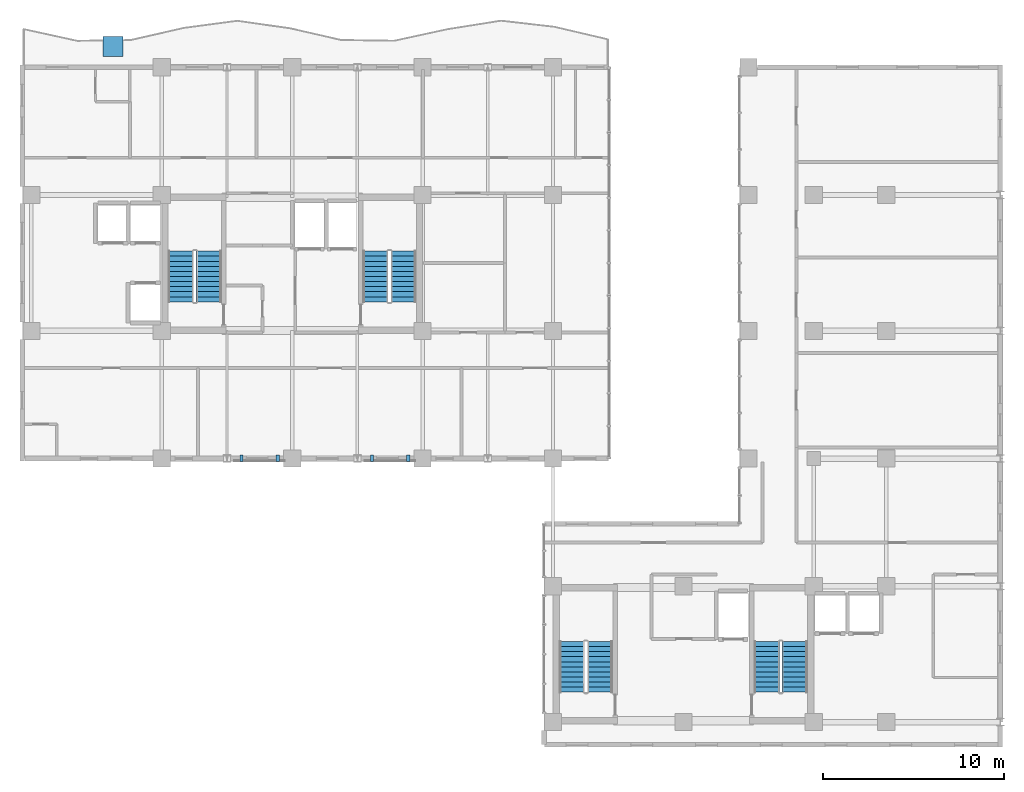
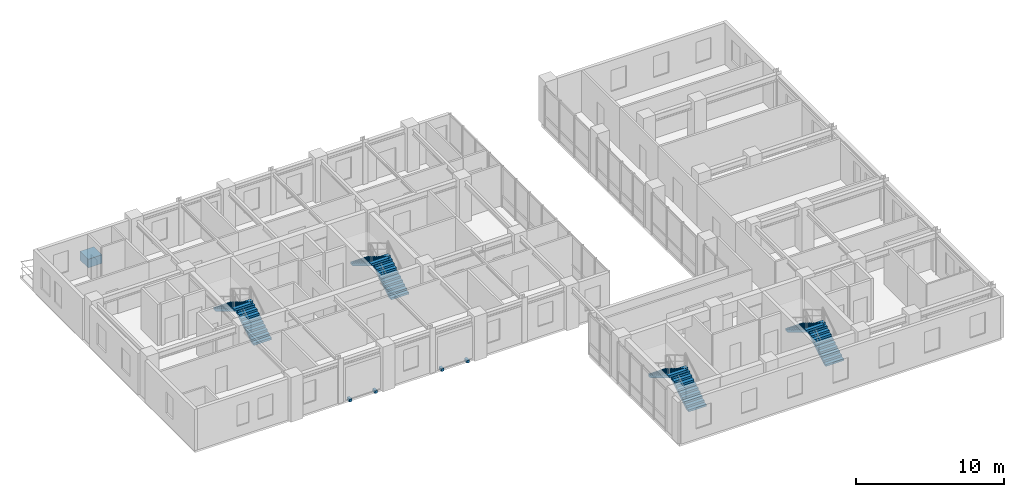
# One storey, part 21 of 24: 8 stair flights, 5 discrete accessories, 4 elements without a shape of their own.
"""IFC4 building model written with IfcOpenShell, lengths in metres."""

from ifc_helpers import new_model, si_unit, direction, frame, origin, origin_2d, place, context, subcontext, project, spatial, polyline, rectangle, outline, extrude, source, transform, mapped, material, type_object, element, aggregate, save


model = new_model("IFC4")

# Units and contexts
model_context = context("Model", 3, precision=1e-05, world=origin(), true_north=direction((0.0, 1.0)))
body_context = subcontext(model_context, "Body", "Model", "MODEL_VIEW")
ifc_project = project(units=[si_unit("LENGTHUNIT", "METRE"), si_unit("AREAUNIT", "SQUARE_METRE"), si_unit("VOLUMEUNIT", "CUBIC_METRE"), si_unit("PLANEANGLEUNIT", "RADIAN"), si_unit("MASSUNIT", "GRAM", prefix="KILO")], contexts=[model_context])

# Site, building, storey
site_placement = place(None, origin())
site = spatial("IfcSite", under=ifc_project, at=site_placement, CompositionType="ELEMENT")
building_placement = place(site_placement, origin())
building = spatial("IfcBuilding", under=site, at=building_placement, Name="Kaliganga Portal Commons", CompositionType="ELEMENT")
storey_placement = place(building_placement, frame((0.0, 0.0, 235.10009765625)))
storey = spatial("IfcBuildingStorey", under=building, at=storey_placement, Name="L60", CompositionType="ELEMENT", Elevation=235.10009765625)

# Stair, stair flights
ifc_material_1 = material(Name="Concrete C40/50", Category="concrete")
stair_type = type_object("IfcStairType", Name="ST-CORE-DOGLEG", PredefinedType="HALF_TURN_STAIR", material=ifc_material_1)
stair_1_placement = place(storey_placement, origin())
stair_1 = element("IfcStair", 1, at=stair_1_placement, inside=storey, type_object=stair_type, Name="L60 Protected Exit Stair ST-A1", PredefinedType="HALF_TURN_STAIR")
stair_flight_type = type_object("IfcStairFlightType", Name="STF-RC-1400", PredefinedType="STRAIGHT", material=ifc_material_1)
stair_flight_1_placement = place(storey_placement, frame((17.0, 30.25, 0.0), z_axis=(0.0, 0.0, 1.0), x_axis=(0.0, 1.0, 0.0)))
stair_flight_1 = element("IfcStairFlight", 2, at=stair_flight_1_placement, type_object=stair_flight_type, Name="ST-A1 flight 1", NumberOfRisers=11, NumberOfTreads=10, PredefinedType="STRAIGHT", RiserHeight=0.168181818, TreadLength=0.28, context=body_context, shape_type="SweptSolid", body=[
    extrude(outline(polyline([(0.0, 0.0), (0.0, 0.168212890625), (0.280029296875, 0.168212890625), (0.280029296875, 0.33642578125), (0.56005859375, 0.33642578125), (0.56005859375, 0.504638671875), (0.840087890625, 0.504638671875), (0.840087890625, 0.672607421875), (1.1201171875, 0.672607421875), (1.1201171875, 0.8408203125), (1.39990234375, 0.8408203125), (1.39990234375, 1.009033203125), (1.679931640625, 1.009033203125), (1.679931640625, 1.17724609375), (1.9599609375, 1.17724609375), (1.9599609375, 1.345458984375), (2.239990234375, 1.345458984375), (2.239990234375, 1.513671875), (2.52001953125, 1.513671875), (2.52001953125, 1.681884765625), (2.800048828125, 1.681884765625), (2.800048828125, 1.85009765625), (2.800048828125, 1.5068359375), (0.291015625, 0.0), (0.0, 0.0)])), frame((0.0, 0.699951171875, 0.0), z_axis=(0.0, -1.0, 0.0), x_axis=(1.0, 0.0, 0.0)), (0.0, 0.0, 1.0), 1.39990234375),
])
stair_flight_2_placement = place(storey_placement, frame((15.449951171875, 33.050048828125, 1.849853515625), z_axis=(0.0, 0.0, 1.0), x_axis=(0.0, -1.0, 0.0)))
stair_flight_2 = element("IfcStairFlight", 3, at=stair_flight_2_placement, type_object=stair_flight_type, Name="ST-A1 flight 2", NumberOfRisers=11, NumberOfTreads=10, PredefinedType="STRAIGHT", RiserHeight=0.168181818, TreadLength=0.28, context=body_context, shape_type="SweptSolid", body=[
    extrude(outline(polyline([(0.0, 0.0), (0.0, 0.168212890625), (0.280029296875, 0.168212890625), (0.280029296875, 0.33642578125), (0.56005859375, 0.33642578125), (0.56005859375, 0.504638671875), (0.840087890625, 0.504638671875), (0.840087890625, 0.672607421875), (1.1201171875, 0.672607421875), (1.1201171875, 0.8408203125), (1.39990234375, 0.8408203125), (1.39990234375, 1.009033203125), (1.679931640625, 1.009033203125), (1.679931640625, 1.17724609375), (1.9599609375, 1.17724609375), (1.9599609375, 1.345458984375), (2.239990234375, 1.345458984375), (2.239990234375, 1.513671875), (2.52001953125, 1.513671875), (2.52001953125, 1.681884765625), (2.800048828125, 1.681884765625), (2.800048828125, 1.85009765625), (2.800048828125, 1.5068359375), (0.291015625, 0.0), (0.0, 0.0)])), frame((0.0, 0.699951171875, 0.0), z_axis=(0.0, -1.0, 0.0), x_axis=(1.0, 0.0, 0.0)), (0.0, 0.0, 1.0), 1.39990234375),
])
aggregate(stair_1, [stair_flight_1, stair_flight_2])

stair_2_placement = place(storey_placement, origin())
stair_2 = element("IfcStair", 4, at=stair_2_placement, inside=storey, type_object=stair_type, Name="L60 Protected Exit Stair ST-A2", PredefinedType="HALF_TURN_STAIR")
stair_flight_3_placement = place(storey_placement, frame((27.75, 30.25, 0.0), z_axis=(0.0, 0.0, 1.0), x_axis=(0.0, 1.0, 0.0)))
stair_flight_3 = element("IfcStairFlight", 5, at=stair_flight_3_placement, type_object=stair_flight_type, Name="ST-A2 flight 1", NumberOfRisers=11, NumberOfTreads=10, PredefinedType="STRAIGHT", RiserHeight=0.168181818, TreadLength=0.28, context=body_context, shape_type="SweptSolid", body=[
    extrude(outline(polyline([(0.0, 0.0), (0.0, 0.168212890625), (0.280029296875, 0.168212890625), (0.280029296875, 0.33642578125), (0.56005859375, 0.33642578125), (0.56005859375, 0.504638671875), (0.840087890625, 0.504638671875), (0.840087890625, 0.672607421875), (1.1201171875, 0.672607421875), (1.1201171875, 0.8408203125), (1.39990234375, 0.8408203125), (1.39990234375, 1.009033203125), (1.679931640625, 1.009033203125), (1.679931640625, 1.17724609375), (1.9599609375, 1.17724609375), (1.9599609375, 1.345458984375), (2.239990234375, 1.345458984375), (2.239990234375, 1.513671875), (2.52001953125, 1.513671875), (2.52001953125, 1.681884765625), (2.800048828125, 1.681884765625), (2.800048828125, 1.85009765625), (2.800048828125, 1.5068359375), (0.291015625, 0.0), (0.0, 0.0)])), frame((0.0, 0.699951171875, 0.0), z_axis=(0.0, -1.0, 0.0), x_axis=(1.0, 0.0, 0.0)), (0.0, 0.0, 1.0), 1.39990234375),
])
stair_flight_4_placement = place(storey_placement, frame((26.199951171875, 33.050048828125, 1.849853515625), z_axis=(0.0, 0.0, 1.0), x_axis=(0.0, -1.0, 0.0)))
stair_flight_4 = element("IfcStairFlight", 6, at=stair_flight_4_placement, type_object=stair_flight_type, Name="ST-A2 flight 2", NumberOfRisers=11, NumberOfTreads=10, PredefinedType="STRAIGHT", RiserHeight=0.168181818, TreadLength=0.28, context=body_context, shape_type="SweptSolid", body=[
    extrude(outline(polyline([(0.0, 0.0), (0.0, 0.168212890625), (0.280029296875, 0.168212890625), (0.280029296875, 0.33642578125), (0.56005859375, 0.33642578125), (0.56005859375, 0.504638671875), (0.840087890625, 0.504638671875), (0.840087890625, 0.672607421875), (1.1201171875, 0.672607421875), (1.1201171875, 0.8408203125), (1.39990234375, 0.8408203125), (1.39990234375, 1.009033203125), (1.679931640625, 1.009033203125), (1.679931640625, 1.17724609375), (1.9599609375, 1.17724609375), (1.9599609375, 1.345458984375), (2.239990234375, 1.345458984375), (2.239990234375, 1.513671875), (2.52001953125, 1.513671875), (2.52001953125, 1.681884765625), (2.800048828125, 1.681884765625), (2.800048828125, 1.85009765625), (2.800048828125, 1.5068359375), (0.291015625, 0.0), (0.0, 0.0)])), frame((0.0, 0.699951171875, 0.0), z_axis=(0.0, -1.0, 0.0), x_axis=(1.0, 0.0, 0.0)), (0.0, 0.0, 1.0), 1.39990234375),
])
aggregate(stair_2, [stair_flight_3, stair_flight_4])

stair_3_placement = place(storey_placement, origin())
stair_3 = element("IfcStair", 7, at=stair_3_placement, inside=storey, type_object=stair_type, Name="L60 Protected Exit Stair ST-B1", PredefinedType="HALF_TURN_STAIR")
stair_flight_5_placement = place(storey_placement, frame((38.60009765625, 8.699951171875, 0.0), z_axis=(0.0, 0.0, 1.0), x_axis=(0.0, 1.0, 0.0)))
stair_flight_5 = element("IfcStairFlight", 8, at=stair_flight_5_placement, type_object=stair_flight_type, Name="ST-B1 flight 1", NumberOfRisers=11, NumberOfTreads=10, PredefinedType="STRAIGHT", RiserHeight=0.168181818, TreadLength=0.28, context=body_context, shape_type="SweptSolid", body=[
    extrude(outline(polyline([(0.0, 0.0), (0.0, 0.168212890625), (0.280029296875, 0.168212890625), (0.280029296875, 0.33642578125), (0.56005859375, 0.33642578125), (0.56005859375, 0.504638671875), (0.840087890625, 0.504638671875), (0.840087890625, 0.672607421875), (1.1201171875, 0.672607421875), (1.1201171875, 0.8408203125), (1.39990234375, 0.8408203125), (1.39990234375, 1.009033203125), (1.679931640625, 1.009033203125), (1.679931640625, 1.17724609375), (1.9599609375, 1.17724609375), (1.9599609375, 1.345458984375), (2.239990234375, 1.345458984375), (2.239990234375, 1.513671875), (2.52001953125, 1.513671875), (2.52001953125, 1.681884765625), (2.800048828125, 1.681884765625), (2.800048828125, 1.85009765625), (2.800048828125, 1.5068359375), (0.291015625, 0.0), (0.0, 0.0)])), frame((0.0, 0.699951171875, 0.0), z_axis=(0.0, -1.0, 0.0), x_axis=(1.0, 0.0, 0.0)), (0.0, 0.0, 1.0), 1.39990234375),
])
stair_flight_6_placement = place(storey_placement, frame((37.050048828125, 11.5, 1.849853515625), z_axis=(0.0, 0.0, 1.0), x_axis=(0.0, -1.0, 0.0)))
stair_flight_6 = element("IfcStairFlight", 9, at=stair_flight_6_placement, type_object=stair_flight_type, Name="ST-B1 flight 2", NumberOfRisers=11, NumberOfTreads=10, PredefinedType="STRAIGHT", RiserHeight=0.168181818, TreadLength=0.28, context=body_context, shape_type="SweptSolid", body=[
    extrude(outline(polyline([(0.0, 0.0), (0.0, 0.168212890625), (0.280029296875, 0.168212890625), (0.280029296875, 0.33642578125), (0.56005859375, 0.33642578125), (0.56005859375, 0.504638671875), (0.840087890625, 0.504638671875), (0.840087890625, 0.672607421875), (1.1201171875, 0.672607421875), (1.1201171875, 0.8408203125), (1.39990234375, 0.8408203125), (1.39990234375, 1.009033203125), (1.679931640625, 1.009033203125), (1.679931640625, 1.17724609375), (1.9599609375, 1.17724609375), (1.9599609375, 1.345458984375), (2.239990234375, 1.345458984375), (2.239990234375, 1.513671875), (2.52001953125, 1.513671875), (2.52001953125, 1.681884765625), (2.800048828125, 1.681884765625), (2.800048828125, 1.85009765625), (2.800048828125, 1.5068359375), (0.291015625, 0.0), (0.0, 0.0)])), frame((0.0, 0.699951171875, 0.0), z_axis=(0.0, -1.0, 0.0), x_axis=(1.0, 0.0, 0.0)), (0.0, 0.0, 1.0), 1.39990234375),
])
aggregate(stair_3, [stair_flight_5, stair_flight_6])

stair_4_placement = place(storey_placement, origin())
stair_4 = element("IfcStair", 10, at=stair_4_placement, inside=storey, type_object=stair_type, Name="L60 Protected Exit Stair ST-B2", PredefinedType="HALF_TURN_STAIR")
stair_flight_7_placement = place(storey_placement, frame((49.35009765625, 8.699951171875, 0.0), z_axis=(0.0, 0.0, 1.0), x_axis=(0.0, 1.0, 0.0)))
stair_flight_7 = element("IfcStairFlight", 11, at=stair_flight_7_placement, type_object=stair_flight_type, Name="ST-B2 flight 1", NumberOfRisers=11, NumberOfTreads=10, PredefinedType="STRAIGHT", RiserHeight=0.168181818, TreadLength=0.28, context=body_context, shape_type="SweptSolid", body=[
    extrude(outline(polyline([(0.0, 0.0), (0.0, 0.168212890625), (0.280029296875, 0.168212890625), (0.280029296875, 0.33642578125), (0.56005859375, 0.33642578125), (0.56005859375, 0.504638671875), (0.840087890625, 0.504638671875), (0.840087890625, 0.672607421875), (1.1201171875, 0.672607421875), (1.1201171875, 0.8408203125), (1.39990234375, 0.8408203125), (1.39990234375, 1.009033203125), (1.679931640625, 1.009033203125), (1.679931640625, 1.17724609375), (1.9599609375, 1.17724609375), (1.9599609375, 1.345458984375), (2.239990234375, 1.345458984375), (2.239990234375, 1.513671875), (2.52001953125, 1.513671875), (2.52001953125, 1.681884765625), (2.800048828125, 1.681884765625), (2.800048828125, 1.85009765625), (2.800048828125, 1.5068359375), (0.291015625, 0.0), (0.0, 0.0)])), frame((0.0, 0.699951171875, 0.0), z_axis=(0.0, -1.0, 0.0), x_axis=(1.0, 0.0, 0.0)), (0.0, 0.0, 1.0), 1.39990234375),
])
stair_flight_8_placement = place(storey_placement, frame((47.800048828125, 11.5, 1.849853515625), z_axis=(0.0, 0.0, 1.0), x_axis=(0.0, -1.0, 0.0)))
stair_flight_8 = element("IfcStairFlight", 12, at=stair_flight_8_placement, type_object=stair_flight_type, Name="ST-B2 flight 2", NumberOfRisers=11, NumberOfTreads=10, PredefinedType="STRAIGHT", RiserHeight=0.168181818, TreadLength=0.28, context=body_context, shape_type="SweptSolid", body=[
    extrude(outline(polyline([(0.0, 0.0), (0.0, 0.168212890625), (0.280029296875, 0.168212890625), (0.280029296875, 0.33642578125), (0.56005859375, 0.33642578125), (0.56005859375, 0.504638671875), (0.840087890625, 0.504638671875), (0.840087890625, 0.672607421875), (1.1201171875, 0.672607421875), (1.1201171875, 0.8408203125), (1.39990234375, 0.8408203125), (1.39990234375, 1.009033203125), (1.679931640625, 1.009033203125), (1.679931640625, 1.17724609375), (1.9599609375, 1.17724609375), (1.9599609375, 1.345458984375), (2.239990234375, 1.345458984375), (2.239990234375, 1.513671875), (2.52001953125, 1.513671875), (2.52001953125, 1.681884765625), (2.800048828125, 1.681884765625), (2.800048828125, 1.85009765625), (2.800048828125, 1.5068359375), (0.291015625, 0.0), (0.0, 0.0)])), frame((0.0, 0.699951171875, 0.0), z_axis=(0.0, -1.0, 0.0), x_axis=(1.0, 0.0, 0.0)), (0.0, 0.0, 1.0), 1.39990234375),
])
aggregate(stair_4, [stair_flight_7, stair_flight_8])

# Discrete accessories
ifc_material_2 = material(Name="Precast concrete C40/50", Category="concrete")
discrete_accessory_type_1 = type_object("IfcDiscreteAccessoryType", Name="DAC-PLANTER-RC", PredefinedType="USERDEFINED", material=ifc_material_2)
shared_shape_1 = source(origin(), body_context, "Body", "SweptSolid", [
    extrude(rectangle(XDim=1.10009765625, YDim=1.10009765625, at=origin_2d()), origin(), (0.0, 0.0, 1.0), 0.719970703125),
])
discrete_accessory_placement = place(storey_placement, frame((11.699951171875, 44.35009765625, 0.0), z_axis=(0.0, 0.0, 1.0), x_axis=(1.0, 0.0, 0.0)))
element("IfcDiscreteAccessory", 13, at=discrete_accessory_placement, inside=storey, type_object=discrete_accessory_type_1, Name="Structural Tree Planter L60 balc_north", ObjectType="PLANTER", PredefinedType="USERDEFINED", context=body_context, shape_type="MappedRepresentation", body=[
    mapped(shared_shape_1, transform((0.0, 0.0, 0.0), x_axis=(1.0, 0.0, 0.0), y_axis=(0.0, 1.0, 0.0), z_axis=(0.0, 0.0, 1.0), scale=1.0)),
])
ifc_material_3 = material(Name="Structural steel S355J2", Category="steel")
discrete_accessory_type_2 = type_object("IfcDiscreteAccessoryType", Name="DAC-BRK-SCR", PredefinedType="BRACKET", material=ifc_material_3)
shared_shape_2 = source(origin(), body_context, "Body", "SweptSolid", [
    extrude(rectangle(XDim=0.179931640625, YDim=0.360107421875, at=origin_2d()), origin(), (0.0, 0.0, 1.0), 0.219970703125),
])
for number, where, z_axis, x_axis, name in (
    (14, (18.800048828125, 21.6201171875, -0.18994140625), (0.0, 0.0, 1.0), (1.0, 0.0, 0.0), "Solar Screen Outrigger Bracket L60-S1-1"),
    (15, (20.800048828125, 21.6201171875, -0.18994140625), (0.0, 0.0, 1.0), (1.0, 0.0, 0.0), "Solar Screen Outrigger Bracket L60-S1-2"),
    (16, (26.0, 21.6201171875, -0.18994140625), (0.0, 0.0, 1.0), (1.0, 0.0, 0.0), "Solar Screen Outrigger Bracket L60-S2-1"),
    (17, (28.0, 21.6201171875, -0.18994140625), (0.0, 0.0, 1.0), (1.0, 0.0, 0.0), "Solar Screen Outrigger Bracket L60-S2-2"),
):
    element("IfcDiscreteAccessory", number, at=place(storey_placement, frame(where, z_axis=z_axis, x_axis=x_axis)), inside=storey, type_object=discrete_accessory_type_2, Name=name, PredefinedType="BRACKET", context=body_context, shape_type="MappedRepresentation", body=[
        mapped(shared_shape_2, transform((0.0, 0.0, 0.0), x_axis=(1.0, 0.0, 0.0), y_axis=(0.0, 1.0, 0.0), z_axis=(0.0, 0.0, 1.0), scale=1.0)),
    ])

save(model, "model.ifc")
